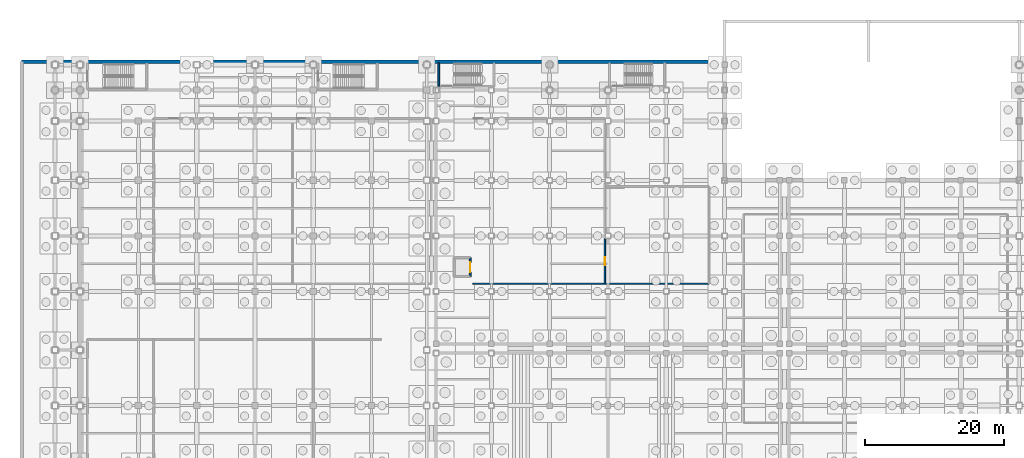
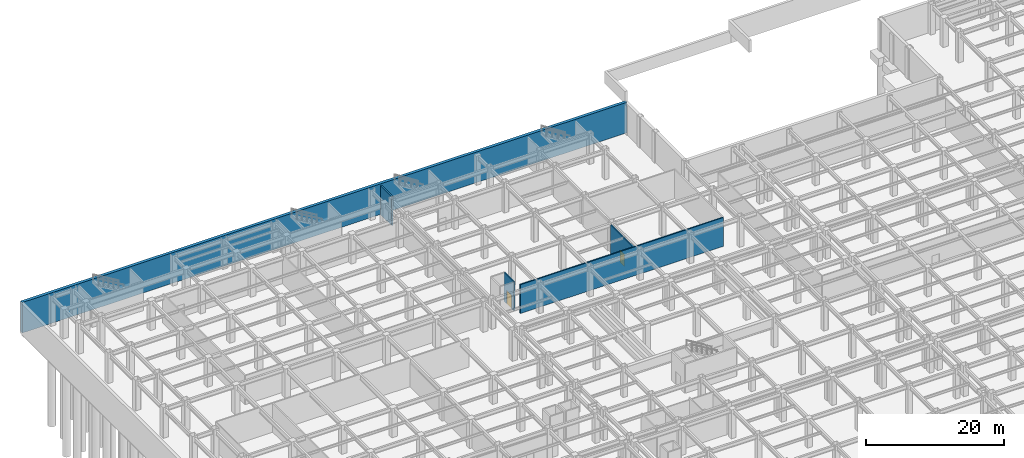
# One storey, part 35 of 55: 5 walls, 2 doors, 2 openings.
"""IFC4 building model written with IfcOpenShell, lengths in metres."""

from ifc_helpers import new_model, si_unit, direction, frame, frame_2d, origin, place, context, subcontext, project, spatial, rectangle, extrude, material, layer, layer_set, type_object, element, fill, save


model = new_model("IFC4")

# Units and contexts
model_context = context("Model", 3, precision=1e-05, world=origin(), true_north=direction((0.0, 1.0)))
body_context = subcontext(model_context, "Body", "Model", "MODEL_VIEW")
ifc_project = project(units=[si_unit("LENGTHUNIT", "METRE"), si_unit("AREAUNIT", "SQUARE_METRE"), si_unit("VOLUMEUNIT", "CUBIC_METRE"), si_unit("PLANEANGLEUNIT", "RADIAN"), si_unit("MASSUNIT", "GRAM", prefix="KILO")], contexts=[model_context])

# Site, building, storey
site_placement = place(None, origin())
site = spatial("IfcSite", under=ifc_project, at=site_placement, CompositionType="ELEMENT")
building_placement = place(site_placement, origin())
building = spatial("IfcBuilding", under=site, at=building_placement, Name="Kazehara Bluff Congress Hotel", CompositionType="ELEMENT")
storey_placement = place(building_placement, frame((0.0, 0.0, -5.39990234375)))
storey = spatial("IfcBuildingStorey", under=building, at=storey_placement, Name="B1", CompositionType="ELEMENT", Elevation=-5.39990234375)

# Walls
ifc_material_1 = material(Name="Concrete C40/50", Category="concrete")
ifc_layer_1 = layer(ifc_material_1, 0.25)
ifc_layer_set_1 = layer_set([ifc_layer_1], Name="Concrete C40/50")
wall_type_1 = type_object("IfcWallType", Name="TP-CW-RC", PredefinedType="SHEAR", material=ifc_layer_set_1)
wall_1_placement = place(storey_placement, frame((60.074951171875, 110.47509765625, 0.0), z_axis=(0.0, 0.0, 1.0), x_axis=(0.0, 1.0, 0.0)))
element("IfcWall", 1, at=wall_1_placement, inside=storey, type_object=wall_type_1, Name="B1 ST-06 core wall near", PredefinedType="SHEAR", context=body_context, shape_type="SweptSolid", body=[
    extrude(rectangle(XDim=3.349853515625, YDim=0.25, at=frame_2d((1.6748046875, 0.0))), origin(), (0.0, 0.0, 1.0), 5.119873046875),
])
ifc_material_2 = material(Name="Concrete C40/50", Category="concrete")
ifc_layer_2 = layer(ifc_material_2, 0.199951171875)
ifc_layer_set_2 = layer_set([ifc_layer_2], Name="Concrete C40/50")
wall_type_2 = type_object("IfcWallType", Name="TP-FW-RC", PredefinedType="SOLIDWALL", material=ifc_layer_set_2)
wall_2_placement = place(storey_placement, frame((65.0, 82.0, 0.0), z_axis=(0.0, 0.0, 1.0), x_axis=(1.0, 0.0, 0.0)))
element("IfcWall", 2, at=wall_2_placement, inside=storey, type_object=wall_type_2, Name="B1 partition FW-RC 17", PredefinedType="SOLIDWALL", context=body_context, shape_type="SweptSolid", body=[
    extrude(rectangle(XDim=34.0, YDim=0.199951171875, at=frame_2d((17.0, 0.0))), origin(), (0.0, 0.0, 1.0), 5.10498046875),
])

# Wall, opening, door
wall_3_placement = place(storey_placement, frame((84.0, 82.0, 0.0), z_axis=(0.0, 0.0, 1.0), x_axis=(0.0, 1.0, 0.0)))
wall_3 = element("IfcWall", 3, at=wall_3_placement, inside=storey, type_object=wall_type_2, Name="B1 partition FW-RC 45", PredefinedType="SOLIDWALL", context=body_context, shape_type="SweptSolid", body=[
    extrude(rectangle(XDim=6.47998046875, YDim=0.199951171875, at=frame_2d((3.239990234375, 0.0))), origin(), (0.0, 0.0, 1.0), 5.10498046875),
])
opening_1_placement = place(wall_3_placement, frame((2.639892578125, 0.0, 0.0)))
opening_1 = element("IfcOpeningElement", 4, at=opening_1_placement, cuts=wall_3, Name="Opening FD-02", PredefinedType="OPENING", context=body_context, shape_type="SweptSolid", body=[
    extrude(rectangle(XDim=1.199951171875, YDim=2.199951171875, at=frame_2d((0.60009765625, 1.10009765625))), frame((0.0, 0.10986328125, 0.0), z_axis=(0.0, -1.0, 0.0), x_axis=(1.0, 0.0, 0.0)), (0.0, 0.0, 1.0), 0.219970703125),
])
ifc_material_3 = material(Name="Fire-rated painted steel leaf", Category="steel")
door_type_1 = type_object("IfcDoorType", Name="TP-FD-02", OperationType="NOTDEFINED", PredefinedType="DOOR", material=ifc_material_3)
door_1_placement = place(opening_1_placement, origin())
door_1 = element("IfcDoor", 5, at=door_1_placement, inside=storey, type_object=door_type_1, Name="B1 Air Handling and Smoke Exhaust Fan Plant door", OperationType="SINGLE_SWING_LEFT", OverallHeight=2.199951171875, OverallWidth=1.199951171875, PredefinedType="DOOR", context=body_context, shape_type="SweptSolid", body=[
    extrude(rectangle(XDim=1.199951171875, YDim=2.199951171875, at=frame_2d((0.60009765625, 1.10009765625))), frame((0.0, 0.02490234375, 0.0), z_axis=(0.0, -1.0, 0.0), x_axis=(1.0, 0.0, 0.0)), (0.0, 0.0, 1.0), 0.050048828125),
])
fill(opening_1, door_1)

# Wall
ifc_material_4 = material(Name="Concrete C40/50", Category="concrete")
ifc_layer_3 = layer(ifc_material_4, 0.5)
ifc_layer_set_3 = layer_set([ifc_layer_3], Name="Concrete C40/50")
wall_type_3 = type_object("IfcWallType", Name="TP-RW-500", PredefinedType="USERDEFINED", material=ifc_layer_set_3)
wall_4_placement = place(storey_placement, frame((101.25, 114.0, 0.0), z_axis=(0.0, 0.0, 1.0), x_axis=(-1.0, 0.0, 0.0)))
element("IfcWall", 6, at=wall_4_placement, inside=storey, type_object=wall_type_3, Name="Basement perimeter retaining wall 11", ObjectType="RETAININGWALL", PredefinedType="USERDEFINED", context=body_context, shape_type="SweptSolid", body=[
    extrude(rectangle(XDim=101.25, YDim=0.5, at=frame_2d((50.625, 0.0))), origin(), (0.0, 0.0, 1.0), 5.39990234375),
])

# Wall, opening, door
ifc_material_5 = material(Name="Concrete C40/50", Category="concrete")
ifc_layer_4 = layer(ifc_material_5, 0.219970703125)
ifc_layer_set_4 = layer_set([ifc_layer_4], Name="Concrete C40/50")
wall_type_4 = type_object("IfcWallType", Name="TP-SW-RC", PredefinedType="SHEAR", material=ifc_layer_set_4)
wall_5_placement = place(storey_placement, frame((64.610107421875, 83.0400390625, 0.0), z_axis=(0.0, 0.0, 1.0), x_axis=(0.0, 1.0, 0.0)))
wall_5 = element("IfcWall", 7, at=wall_5_placement, inside=storey, type_object=wall_type_4, Name="B1 EL-S2 lift shaft wall +X", PredefinedType="SHEAR", context=body_context, shape_type="SweptSolid", body=[
    extrude(rectangle(XDim=2.719970703125, YDim=0.219970703125, at=frame_2d((1.35986328125, 0.0))), origin(), (0.0, 0.0, 1.0), 5.119873046875),
])
opening_2_placement = place(wall_5_placement, frame((0.635009765625, 0.0, 0.0)))
opening_2 = element("IfcOpeningElement", 8, at=opening_2_placement, cuts=wall_5, Name="Opening LD-04", PredefinedType="OPENING", context=body_context, shape_type="SweptSolid", body=[
    extrude(rectangle(XDim=1.449951171875, YDim=2.35009765625, at=frame_2d((0.72509765625, 1.175048828125))), frame((0.0, 0.119873046875, 0.0), z_axis=(0.0, -1.0, 0.0), x_axis=(1.0, 0.0, 0.0)), (0.0, 0.0, 1.0), 0.239990234375),
])
ifc_material_6 = material(Name="Fire-rated painted steel leaf", Category="steel")
door_type_2 = type_object("IfcDoorType", Name="TP-LD-04", OperationType="SLIDING_TO_LEFT", PredefinedType="DOOR", material=ifc_material_6)
door_2_placement = place(opening_2_placement, origin())
door_2 = element("IfcDoor", 9, at=door_2_placement, inside=storey, type_object=door_type_2, Name="B1 EL-S2 elevator landing door", OperationType="SLIDING_TO_LEFT", OverallHeight=2.35009765625, OverallWidth=1.449951171875, PredefinedType="DOOR", context=body_context, shape_type="SweptSolid", body=[
    extrude(rectangle(XDim=1.449951171875, YDim=2.35009765625, at=frame_2d((0.72509765625, 1.175048828125))), frame((0.0, 0.02490234375, 0.0), z_axis=(0.0, -1.0, 0.0), x_axis=(1.0, 0.0, 0.0)), (0.0, 0.0, 1.0), 0.050048828125),
])
fill(opening_2, door_2)

save(model, "model.ifc")
